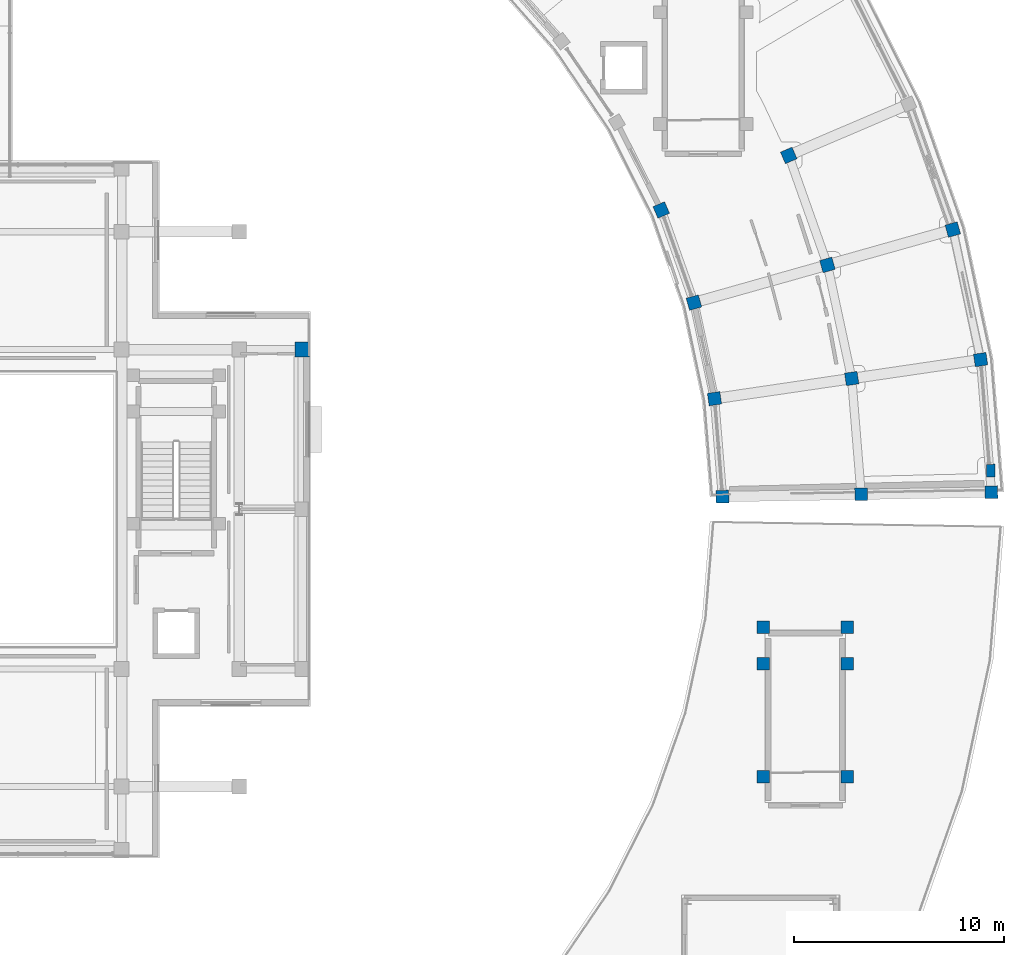
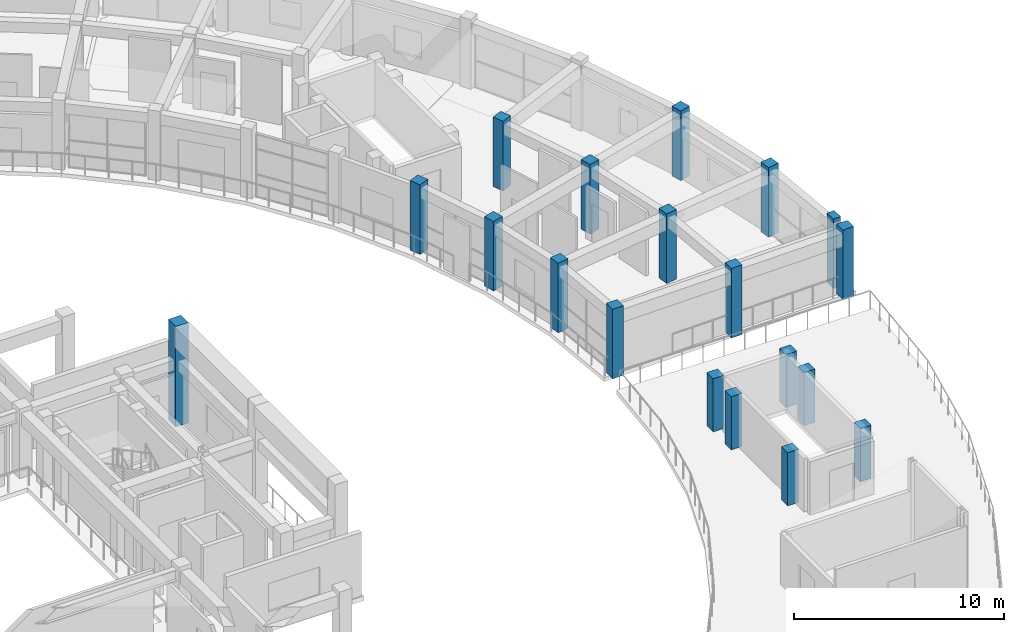
# One storey, part 4 of 29: 19 columns.
"""IFC4 building model written with IfcOpenShell, lengths in metres."""

from ifc_helpers import new_model, si_unit, direction, frame, origin, origin_2d, place, context, subcontext, project, spatial, rectangle, extrude, material, material_profile, profile_set, type_object, element, save


model = new_model("IFC4")

# Units and contexts
model_context = context("Model", 3, precision=1e-05, world=origin(), true_north=direction((0.0, 1.0)))
body_context = subcontext(model_context, "Body", "Model", "MODEL_VIEW")
ifc_project = project(units=[si_unit("LENGTHUNIT", "METRE"), si_unit("AREAUNIT", "SQUARE_METRE"), si_unit("VOLUMEUNIT", "CUBIC_METRE"), si_unit("PLANEANGLEUNIT", "RADIAN"), si_unit("MASSUNIT", "GRAM", prefix="KILO")], contexts=[model_context])

# Site, building, storey
site_placement = place(None, origin())
site = spatial("IfcSite", under=ifc_project, at=site_placement, CompositionType="ELEMENT")
building_placement = place(site_placement, origin())
building = spatial("IfcBuilding", under=site, at=building_placement, Name="Saryqyr Civic Hall", CompositionType="ELEMENT")
storey_placement = place(building_placement, frame((0.0, 0.0, 25.35009765625)))
storey = spatial("IfcBuildingStorey", under=building, at=storey_placement, Name="L06", CompositionType="ELEMENT", Elevation=25.35009765625)

# Columns
ifc_material = material(Name="Concrete C40/50", Category="concrete")
ifc_material_profile_1 = material_profile(ifc_material, rectangle(XDim=0.60009765625, YDim=0.60009765625, at=origin_2d()), Name="RC 600x600")
ifc_profile_set_1 = profile_set([ifc_material_profile_1], Name="Concrete C40/50")
column_type_1 = type_object("IfcColumnType", Name="STR-COL-RC600-C40", PredefinedType="COLUMN", material=ifc_profile_set_1)
for number, where, z_axis, x_axis, name in (
    (1, (93.195068359375, 84.60009765625, 0.0), (0.0, 0.0, 1.0), (0.999862544538, 0.016579868188, 0.0), "Column V6-COL-IN00-L06"),
    (2, (99.794189453125, 84.709716796875, 0.0), (0.0, 0.0, 1.0), (0.999862544538, 0.016579868188, 0.0), "Column V6-COL-MID00-L06"),
    (3, (105.993408203125, 84.8125, 0.0), (0.0, 0.0, 1.0), (0.999862544538, 0.016579868188, 0.0), "Column V6-COL-OUT00-L06"),
    (4, (92.81591796875, 89.260009765625, 0.0), (0.0, 0.0, 1.0), (0.989399437751, 0.145219670077, 0.0), "Column V6-COL-IN01-L06"),
    (5, (99.345703125, 90.218994140625, 0.0), (0.0, 0.0, 1.0), (0.989399437751, 0.145219670077, 0.0), "Column V6-COL-MID01-L06"),
    (6, (105.47998046875, 91.1201171875, 0.0), (0.0, 0.0, 1.0), (0.989399437751, 0.145219670077, 0.0), "Column V6-COL-OUT01-L06"),
    (7, (91.839111328125, 93.832275390625, 0.0), (0.0, 0.0, 1.0), (0.962407846499, 0.271608425858, 0.0), "Column V6-COL-IN02-L06"),
    (8, (98.191162109375, 95.624755859375, 0.0), (0.0, 0.0, 1.0), (0.962407846499, 0.271608425858, 0.0), "Column V6-COL-MID02-L06"),
    (9, (104.157958984375, 97.308837890625, 0.0), (0.0, 0.0, 1.0), (0.962407846499, 0.271608425858, 0.0), "Column V6-COL-OUT02-L06"),
    (10, (90.281494140625, 98.240478515625, 0.0), (0.0, 0.0, 1.0), (0.919410138581, 0.393300136124, 0.0), "Column V6-COL-IN03-L06"),
    (11, (96.349365234375, 100.836669921875, 0.0), (0.0, 0.0, 1.0), (0.919410138581, 0.393300136124, 0.0), "Column V6-COL-MID03-L06"),
):
    element("IfcColumn", number, at=place(storey_placement, frame(where, z_axis=z_axis, x_axis=x_axis)), inside=storey, type_object=column_type_1, Name=name, PredefinedType="COLUMN", context=body_context, shape_type="SweptSolid", body=[
        extrude(rectangle(XDim=0.60009765625, YDim=0.60009765625, at=origin_2d()), origin(), (0.0, 0.0, 1.0), 4.0498046875),
    ])
for number, where, z_axis, x_axis, name in (
    (12, (99.139892578125, 71.27490234375, 0.0), (0.0, 0.0, 1.0), (1.0, 0.0, 0.0), "Column ST-5-SCOL-TRMA-L06"),
    (13, (95.139892578125, 71.27490234375, 0.0), (0.0, 0.0, 1.0), (1.0, 0.0, 0.0), "Column ST-5-SCOL-TRMB-L06"),
    (14, (99.139892578125, 76.64990234375, 0.0), (0.0, 0.0, 1.0), (1.0, 0.0, 0.0), "Column ST-5-SCOL-LND1A-L06"),
    (15, (95.139892578125, 76.64990234375, 0.0), (0.0, 0.0, 1.0), (1.0, 0.0, 0.0), "Column ST-5-SCOL-LND1B-L06"),
    (16, (99.139892578125, 78.3798828125, 0.0), (0.0, 0.0, 1.0), (1.0, 0.0, 0.0), "Column ST-5-SCOL-LND2A-L06"),
    (17, (95.139892578125, 78.3798828125, 0.0), (0.0, 0.0, 1.0), (1.0, 0.0, 0.0), "Column ST-5-SCOL-LND2B-L06"),
):
    element("IfcColumn", number, at=place(storey_placement, frame(where, z_axis=z_axis, x_axis=x_axis)), inside=storey, type_object=column_type_1, Name=name, PredefinedType="COLUMN", context=body_context, shape_type="SweptSolid", body=[
        extrude(rectangle(XDim=0.60009765625, YDim=0.60009765625, at=origin_2d()), origin(), (0.0, 0.0, 1.0), 3.099853515625),
    ])
ifc_material_profile_2 = material_profile(ifc_material, rectangle(XDim=0.699951171875, YDim=0.699951171875, at=origin_2d()), Name="RC 700x700")
ifc_profile_set_2 = profile_set([ifc_material_profile_2], Name="Concrete C40/50")
column_type_2 = type_object("IfcColumnType", Name="STR-COL-RC700-C40", PredefinedType="COLUMN", material=ifc_profile_set_2)
column_1_placement = place(storey_placement, frame((73.199951171875, 91.60009765625, 0.0), z_axis=(0.0, 0.0, 1.0), x_axis=(1.0, 0.0, 0.0)))
element("IfcColumn", 18, at=column_1_placement, inside=storey, type_object=column_type_2, Name="Column V1-COL-S3P06-L06", PredefinedType="COLUMN", context=body_context, shape_type="SweptSolid", body=[
    extrude(rectangle(XDim=0.699951171875, YDim=0.699951171875, at=origin_2d()), origin(), (0.0, 0.0, 1.0), 5.849853515625),
])
ifc_material_profile_3 = material_profile(ifc_material, rectangle(XDim=0.39990234375, YDim=0.60009765625, at=origin_2d()), Name="RC 400x600")
ifc_profile_set_3 = profile_set([ifc_material_profile_3], Name="Concrete C40/50")
column_type_3 = type_object("IfcColumnType", Name="STR-PIL-RC400x600-EXT", PredefinedType="PILASTER", material=ifc_profile_set_3)
column_2_placement = place(storey_placement, frame((105.965576171875, 85.83837890625, 0.0), z_axis=(0.0, 0.0, 1.0), x_axis=(0.999862544538, 0.016579868188, 0.0)))
element("IfcColumn", 19, at=column_2_placement, inside=storey, type_object=column_type_3, Name="Column V6-PIL-00-L06", PredefinedType="PILASTER", context=body_context, shape_type="SweptSolid", body=[
    extrude(rectangle(XDim=0.39990234375, YDim=0.60009765625, at=origin_2d()), origin(), (0.0, 0.0, 1.0), 4.0498046875),
])

save(model, "model.ifc")
